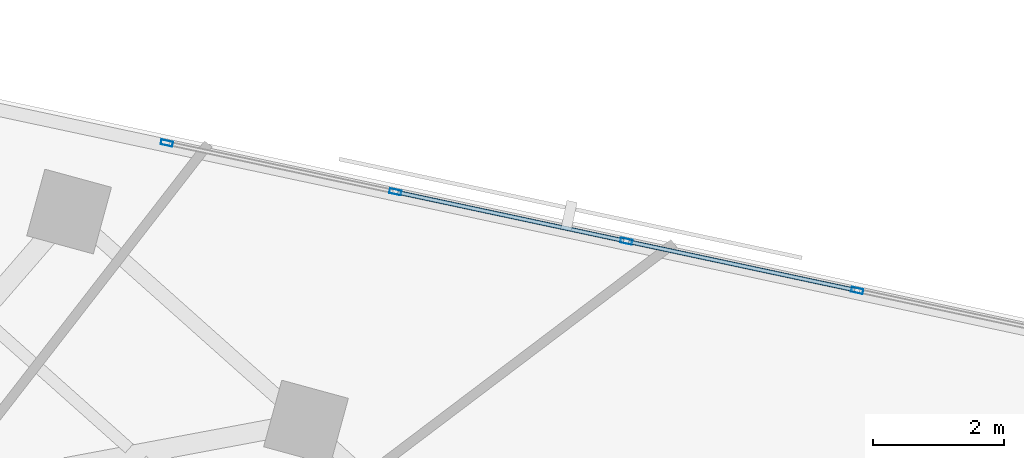
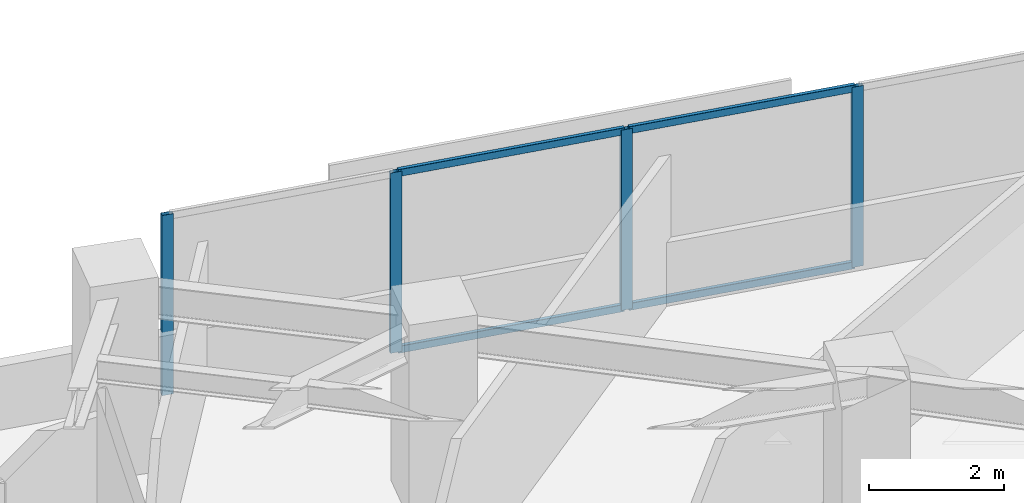
# One storey, part 4 of 14: 8 members, 1 element without a shape of its own.
"""IFC4 building model written with IfcOpenShell, lengths in metres."""

from ifc_helpers import new_model, si_unit, direction, frame, origin, origin_2d, place, context, subcontext, project, spatial, hollow_rectangle, extrude, material, material_profile, profile_set, type_object, element, aggregate, save


model = new_model("IFC4")

# Units and contexts
model_context = context("Model", 3, precision=1e-05, world=origin(), true_north=direction((0.0, 1.0)))
body_context = subcontext(model_context, "Body", "Model", "MODEL_VIEW")
ifc_project = project(units=[si_unit("LENGTHUNIT", "METRE"), si_unit("AREAUNIT", "SQUARE_METRE"), si_unit("VOLUMEUNIT", "CUBIC_METRE"), si_unit("PLANEANGLEUNIT", "RADIAN"), si_unit("MASSUNIT", "GRAM", prefix="KILO")], contexts=[model_context])

# Site, building, storey
site_placement = place(None, origin())
site = spatial("IfcSite", under=ifc_project, at=site_placement, CompositionType="ELEMENT")
building_placement = place(site_placement, origin())
building = spatial("IfcBuilding", under=site, at=building_placement, Name="Narakoshi Arena Tower", CompositionType="ELEMENT")
storey_placement = place(building_placement, frame((0.0, 0.0, 211.4599609375)))
storey = spatial("IfcBuildingStorey", under=building, at=storey_placement, Name="L57", CompositionType="ELEMENT", Elevation=211.4599609375)

# Curtain wall, members
ifc_material = material(Name="Anodised bronze aluminium 6063-T6", Category="aluminium")
curtain_wall_type = type_object("IfcCurtainWallType", Name="CW-HYP-MID", PredefinedType="NOTDEFINED", material=ifc_material)
curtain_wall_placement = place(storey_placement, origin())
curtain_wall = element("IfcCurtainWall", 1, at=curtain_wall_placement, inside=storey, type_object=curtain_wall_type, Name="L57 Folded Hypotenuse Curtain Wall 1-1", PredefinedType="NOTDEFINED")
ifc_material_profile_1 = material_profile(ifc_material, hollow_rectangle(XDim=0.074951171875, YDim=0.179931640625, WallThickness=0.00390625, OuterFilletRadius=0.0048828125, at=origin_2d()), Name="MUL180x75x4")
ifc_profile_set_1 = profile_set([ifc_material_profile_1], Name="Anodised bronze aluminium 6063-T6")
member_type_1 = type_object("IfcMemberType", Name="MEM-MUL-180", PredefinedType="MULLION", material=ifc_profile_set_1)
member_1_placement = place(storey_placement, frame((101.553955078125, 59.932861328125, 0.0), z_axis=(0.0, 0.0, 1.0), x_axis=(-0.208899163248, -0.977937185914, 0.0)))
member_1 = element("IfcMember", 2, at=member_1_placement, type_object=member_type_1, Name="CW-02 mullion 5", PredefinedType="MULLION", context=body_context, shape_type="SweptSolid", body=[
    extrude(hollow_rectangle(XDim=0.074951171875, YDim=0.179931640625, WallThickness=0.00390625, OuterFilletRadius=0.0048828125, at=origin_2d()), origin(), (0.0, 0.0, 1.0), 3.260009765625),
])
member_2_placement = place(storey_placement, frame((98.0400390625, 60.68359375, 0.0), z_axis=(0.0, 0.0, 1.0), x_axis=(-0.208899163248, -0.977937185914, 0.0)))
member_2 = element("IfcMember", 3, at=member_2_placement, type_object=member_type_1, Name="CW-02 mullion 6", PredefinedType="MULLION", context=body_context, shape_type="SweptSolid", body=[
    extrude(hollow_rectangle(XDim=0.074951171875, YDim=0.179931640625, WallThickness=0.00390625, OuterFilletRadius=0.0048828125, at=origin_2d()), origin(), (0.0, 0.0, 1.0), 3.260009765625),
])
member_3_placement = place(storey_placement, frame((94.52587890625, 61.434326171875, 0.0), z_axis=(0.0, 0.0, 1.0), x_axis=(-0.208899163248, -0.977937185914, 0.0)))
member_3 = element("IfcMember", 4, at=member_3_placement, type_object=member_type_1, Name="CW-02 mullion 7", PredefinedType="MULLION", context=body_context, shape_type="SweptSolid", body=[
    extrude(hollow_rectangle(XDim=0.074951171875, YDim=0.179931640625, WallThickness=0.00390625, OuterFilletRadius=0.0048828125, at=origin_2d()), origin(), (0.0, 0.0, 1.0), 3.260009765625),
])
member_4_placement = place(storey_placement, frame((91.04833984375, 62.177001953125, 0.0), z_axis=(0.0, 0.0, 1.0), x_axis=(-0.208899163248, -0.977937185914, 0.0)))
member_4 = element("IfcMember", 5, at=member_4_placement, type_object=member_type_1, Name="CW-02 mullion 8", PredefinedType="MULLION", context=body_context, shape_type="SweptSolid", body=[
    extrude(hollow_rectangle(XDim=0.074951171875, YDim=0.179931640625, WallThickness=0.00390625, OuterFilletRadius=0.0048828125, at=origin_2d()), origin(), (0.0, 0.0, 1.0), 3.260009765625),
])
ifc_material_profile_2 = material_profile(ifc_material, hollow_rectangle(XDim=0.06494140625, YDim=0.1298828125, WallThickness=0.00390625, OuterFilletRadius=0.0048828125, at=origin_2d()), Name="TRN130x65x4")
ifc_profile_set_2 = profile_set([ifc_material_profile_2], Name="Anodised bronze aluminium 6063-T6")
member_type_2 = type_object("IfcMemberType", Name="MEM-TRN-130", PredefinedType="USERDEFINED", material=ifc_profile_set_2)
member_5_placement = place(storey_placement, frame((101.517333984375, 59.940673828125, 0.032470703125), z_axis=(-0.977929169638, 0.208936686992, 0.0), x_axis=(-0.208936686992, -0.977929169638, 0.0)))
member_5 = element("IfcMember", 6, at=member_5_placement, type_object=member_type_2, Name="CW-02 transom 5.1", ObjectType="TRANSOM", PredefinedType="USERDEFINED", context=body_context, shape_type="SweptSolid", body=[
    extrude(hollow_rectangle(XDim=0.06494140625, YDim=0.1298828125, WallThickness=0.00390625, OuterFilletRadius=0.0048828125, at=origin_2d()), origin(), (0.0, 0.0, 1.0), 3.518310546875),
])
member_6_placement = place(storey_placement, frame((101.517333984375, 59.940673828125, 3.2275390625), z_axis=(-0.977929169638, 0.208936686992, 0.0), x_axis=(-0.208936686992, -0.977929169638, 0.0)))
member_6 = element("IfcMember", 7, at=member_6_placement, type_object=member_type_2, Name="CW-02 transom 5.2", ObjectType="TRANSOM", PredefinedType="USERDEFINED", context=body_context, shape_type="SweptSolid", body=[
    extrude(hollow_rectangle(XDim=0.06494140625, YDim=0.1298828125, WallThickness=0.00390625, OuterFilletRadius=0.0048828125, at=origin_2d()), origin(), (0.0, 0.0, 1.0), 3.518310546875),
])
member_7_placement = place(storey_placement, frame((98.003173828125, 60.69140625, 0.032470703125), z_axis=(-0.977929169638, 0.208936686992, 0.0), x_axis=(-0.208936686992, -0.977929169638, 0.0)))
member_7 = element("IfcMember", 8, at=member_7_placement, type_object=member_type_2, Name="CW-02 transom 6.1", ObjectType="TRANSOM", PredefinedType="USERDEFINED", context=body_context, shape_type="SweptSolid", body=[
    extrude(hollow_rectangle(XDim=0.06494140625, YDim=0.1298828125, WallThickness=0.00390625, OuterFilletRadius=0.0048828125, at=origin_2d()), origin(), (0.0, 0.0, 1.0), 3.518310546875),
])
member_8_placement = place(storey_placement, frame((98.003173828125, 60.69140625, 3.2275390625), z_axis=(-0.977929169638, 0.208936686992, 0.0), x_axis=(-0.208936686992, -0.977929169638, 0.0)))
member_8 = element("IfcMember", 9, at=member_8_placement, type_object=member_type_2, Name="CW-02 transom 6.2", ObjectType="TRANSOM", PredefinedType="USERDEFINED", context=body_context, shape_type="SweptSolid", body=[
    extrude(hollow_rectangle(XDim=0.06494140625, YDim=0.1298828125, WallThickness=0.00390625, OuterFilletRadius=0.0048828125, at=origin_2d()), origin(), (0.0, 0.0, 1.0), 3.518310546875),
])
aggregate(curtain_wall, [member_1, member_2, member_3, member_4, member_5, member_6, member_7, member_8])

save(model, "model.ifc")
